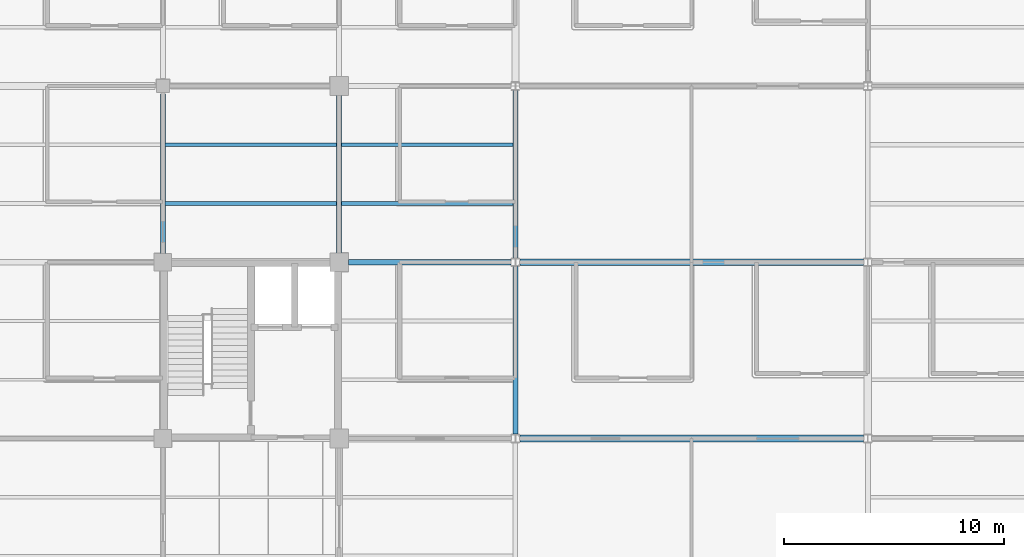
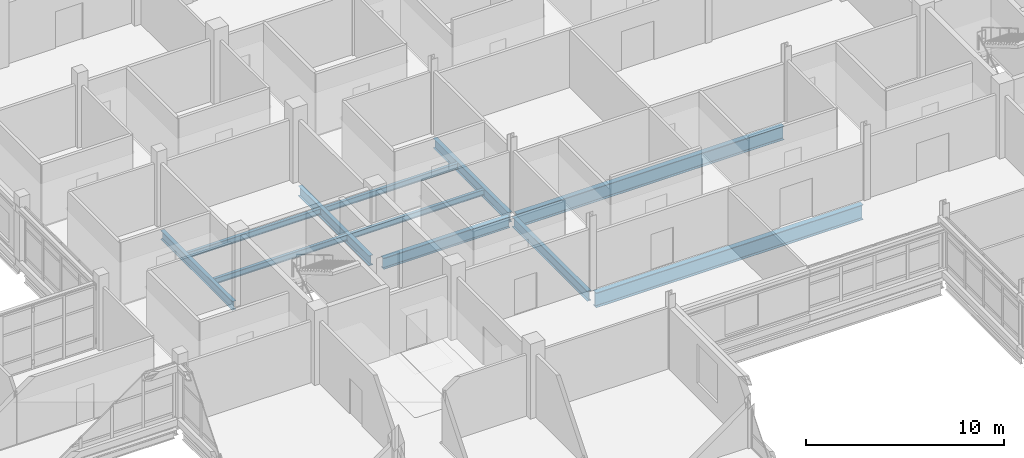
# One storey, part 27 of 121: 11 beams.
"""IFC4 building model written with IfcOpenShell, lengths in metres."""

from ifc_helpers import new_model, si_unit, derived_unit, direction, frame, origin, origin_2d, place, context, subcontext, project, spatial, i_section, extrude, material, material_profile, profile_set, type_object, element, save


model = new_model("IFC4")

# Units and contexts
model_context = context("Model", 3, precision=1e-05, world=origin(), true_north=direction((0.0, 1.0)))
body_context = subcontext(model_context, "Body", "Model", "MODEL_VIEW")
ifc_project = project(units=[si_unit("LENGTHUNIT", "METRE"), si_unit("AREAUNIT", "SQUARE_METRE"), si_unit("VOLUMEUNIT", "CUBIC_METRE"), si_unit("PLANEANGLEUNIT", "RADIAN"), si_unit("MASSUNIT", "GRAM", prefix="KILO"), derived_unit("THERMALTRANSMITTANCEUNIT", [(si_unit("MASSUNIT", "GRAM", prefix="KILO"), 1), (si_unit("TIMEUNIT", "SECOND"), -3), (si_unit("THERMODYNAMICTEMPERATUREUNIT", "KELVIN"), -1)])], contexts=[model_context])

# Site, building, storey
site_placement = place(None, origin())
site = spatial("IfcSite", under=ifc_project, at=site_placement, CompositionType="ELEMENT")
building_placement = place(site_placement, origin())
building = spatial("IfcBuilding", under=site, at=building_placement, Name="Veyamyaing Civic Hall", CompositionType="ELEMENT")
storey_placement = place(building_placement, frame((0.0, 0.0, 5.280029296875)))
storey = spatial("IfcBuildingStorey", under=building, at=storey_placement, Name="L01", CompositionType="ELEMENT", Elevation=5.280029296875)

# Beams
ifc_material = material(Name="Steel ASTM A992", Category="steel")
ifc_material_profile_1 = material_profile(ifc_material, i_section(OverallWidth=0.303955078125, OverallDepth=0.923095703125, WebThickness=0.018310546875, FlangeThickness=0.030029296875, FilletRadius=0.01806640625, at=origin_2d()), Name="W920X271")
ifc_profile_set_1 = profile_set([ifc_material_profile_1], Name="Steel ASTM A992")
beam_type_1 = type_object("IfcBeamType", Name="B-01", PredefinedType="BEAM", material=ifc_profile_set_1)
beam_1_placement = place(storey_placement, frame((80.198974609375, 48.0, -0.70654296875), z_axis=(1.0, 0.0, 0.0), x_axis=(0.0, 1.0, 0.0)))
element("IfcBeam", 1, at=beam_1_placement, inside=storey, type_object=beam_type_1, Name="Girder B-01 L01 Grid G 11-13", PredefinedType="BEAM", context=body_context, shape_type="SweptSolid", body=[
    extrude(i_section(OverallWidth=0.303955078125, OverallDepth=0.923095703125, WebThickness=0.018310546875, FlangeThickness=0.030029296875, FilletRadius=0.01806640625, at=origin_2d()), origin(), (0.0, 0.0, 1.0), 15.60205078125),
])
ifc_material_profile_2 = material_profile(ifc_material, i_section(OverallWidth=0.2939453125, OverallDepth=0.85107421875, WebThickness=0.01611328125, FlangeThickness=0.02685546875, FilletRadius=0.01611328125, at=origin_2d()), Name="W840X226")
ifc_profile_set_2 = profile_set([ifc_material_profile_2], Name="Steel ASTM A992")
beam_type_2 = type_object("IfcBeamType", Name="B-02", PredefinedType="BEAM", material=ifc_profile_set_2)
beam_2_placement = place(storey_placement, frame((80.198974609375, 56.0, -0.67041015625), z_axis=(1.0, 0.0, 0.0), x_axis=(0.0, 1.0, 0.0)))
element("IfcBeam", 2, at=beam_2_placement, inside=storey, type_object=beam_type_2, Name="Girder B-02 L01 Grid H 11-13", PredefinedType="BEAM", context=body_context, shape_type="SweptSolid", body=[
    extrude(i_section(OverallWidth=0.2939453125, OverallDepth=0.85107421875, WebThickness=0.01611328125, FlangeThickness=0.02685546875, FilletRadius=0.01611328125, at=origin_2d()), origin(), (0.0, 0.0, 1.0), 15.60205078125),
])
ifc_material_profile_3 = material_profile(ifc_material, i_section(OverallWidth=0.256103515625, OverallDepth=0.693115234375, WebThickness=0.014404296875, FlangeThickness=0.023681640625, FilletRadius=0.013916015625, at=origin_2d()), Name="W690X170")
ifc_profile_set_3 = profile_set([ifc_material_profile_3], Name="Steel ASTM A992")
beam_type_3 = type_object("IfcBeamType", Name="B-04", PredefinedType="BEAM", material=ifc_profile_set_3)
beam_3_placement = place(storey_placement, frame((72.425048828125, 56.0, -0.591552734375), z_axis=(1.0, 0.0, 0.0), x_axis=(0.0, 1.0, 0.0)))
element("IfcBeam", 3, at=beam_3_placement, inside=storey, type_object=beam_type_3, Name="Girder B-04 L01 Grid H 10-11", PredefinedType="BEAM", context=body_context, shape_type="SweptSolid", body=[
    extrude(i_section(OverallWidth=0.256103515625, OverallDepth=0.693115234375, WebThickness=0.014404296875, FlangeThickness=0.023681640625, FilletRadius=0.013916015625, at=origin_2d()), origin(), (0.0, 0.0, 1.0), 7.3759765625),
])
ifc_material_profile_4 = material_profile(ifc_material, i_section(OverallWidth=0.22998046875, OverallDepth=0.616943359375, WebThickness=0.01318359375, FlangeThickness=0.022216796875, FilletRadius=0.012939453125, at=origin_2d()), Name="W610X140")
ifc_profile_set_4 = profile_set([ifc_material_profile_4], Name="Steel ASTM A992")
beam_type_4 = type_object("IfcBeamType", Name="B-05", PredefinedType="BEAM", material=ifc_profile_set_4)
beam_4_placement = place(storey_placement, frame((72.0, 56.425048828125, -0.553466796875), z_axis=(0.0, 1.0, 0.0), x_axis=(-1.0, 0.0, 0.0)))
element("IfcBeam", 4, at=beam_4_placement, inside=storey, type_object=beam_type_4, Name="Girder B-05 L01 Grid 10 H-J", PredefinedType="BEAM", context=body_context, shape_type="SweptSolid", body=[
    extrude(i_section(OverallWidth=0.22998046875, OverallDepth=0.616943359375, WebThickness=0.01318359375, FlangeThickness=0.022216796875, FilletRadius=0.012939453125, at=origin_2d()), origin(), (0.0, 0.0, 1.0), 7.14990234375),
])
beam_5_placement = place(storey_placement, frame((80.0, 48.193603515625, -0.553466796875), z_axis=(0.0, 1.0, 0.0), x_axis=(-1.0, 0.0, 0.0)))
element("IfcBeam", 5, at=beam_5_placement, inside=storey, type_object=beam_type_4, Name="Girder B-05 L01 Grid 11 G-H", PredefinedType="BEAM", context=body_context, shape_type="SweptSolid", body=[
    extrude(i_section(OverallWidth=0.22998046875, OverallDepth=0.616943359375, WebThickness=0.01318359375, FlangeThickness=0.022216796875, FilletRadius=0.012939453125, at=origin_2d()), origin(), (0.0, 0.0, 1.0), 7.61279296875),
])
ifc_material_profile_5 = material_profile(ifc_material, i_section(OverallWidth=0.22802734375, OverallDepth=0.60791015625, WebThickness=0.01123046875, FlangeThickness=0.017333984375, FilletRadius=0.012939453125, at=origin_2d()), Name="W610X113")
ifc_profile_set_5 = profile_set([ifc_material_profile_5], Name="Steel ASTM A992")
beam_type_5 = type_object("IfcBeamType", Name="B-06", PredefinedType="BEAM", material=ifc_profile_set_5)
beam_6_placement = place(storey_placement, frame((80.0, 56.193603515625, -0.549072265625), z_axis=(0.0, 1.0, 0.0), x_axis=(-1.0, 0.0, 0.0)))
element("IfcBeam", 6, at=beam_6_placement, inside=storey, type_object=beam_type_5, Name="Girder B-06 L01 Grid 11 H-J", PredefinedType="BEAM", context=body_context, shape_type="SweptSolid", body=[
    extrude(i_section(OverallWidth=0.22802734375, OverallDepth=0.60791015625, WebThickness=0.01123046875, FlangeThickness=0.017333984375, FilletRadius=0.012939453125, at=origin_2d()), origin(), (0.0, 0.0, 1.0), 7.61279296875),
])
ifc_material_profile_6 = material_profile(ifc_material, i_section(OverallWidth=0.214111328125, OverallDepth=0.549072265625, WebThickness=0.0146484375, FlangeThickness=0.023681640625, FilletRadius=0.011962890625, at=origin_2d()), Name="W530X138")
ifc_profile_set_6 = profile_set([ifc_material_profile_6], Name="Steel ASTM A992")
beam_type_6 = type_object("IfcBeamType", Name="B-16", PredefinedType="BEAM", material=ifc_profile_set_6)
beam_7_placement = place(storey_placement, frame((64.0, 56.39990234375, -0.51953125), z_axis=(0.0, 1.0, 0.0), x_axis=(-1.0, 0.0, 0.0)))
element("IfcBeam", 7, at=beam_7_placement, inside=storey, type_object=beam_type_6, Name="Girder B-16 L01 Grid 9 H-J", PredefinedType="BEAM", context=body_context, shape_type="SweptSolid", body=[
    extrude(i_section(OverallWidth=0.214111328125, OverallDepth=0.549072265625, WebThickness=0.0146484375, FlangeThickness=0.023681640625, FilletRadius=0.011962890625, at=origin_2d()), origin(), (0.0, 0.0, 1.0), 7.25),
])
ifc_material_profile_7 = material_profile(ifc_material, i_section(OverallWidth=0.172119140625, OverallDepth=0.35791015625, WebThickness=0.0078125, FlangeThickness=0.01318359375, FilletRadius=0.010009765625, at=origin_2d()), Name="W360X57")
ifc_profile_set_7 = profile_set([ifc_material_profile_7], Name="Steel ASTM A992")
beam_type_7 = type_object("IfcBeamType", Name="J-02", PredefinedType="JOIST", material=ifc_profile_set_7)
for number, where, z_axis, x_axis, name in (
    (8, (64.10498046875, 58.666748046875, -0.424072265625), (1.0, 0.0, 0.0), (0.0, 1.0, 0.0), "Composite floor joist J-02 L01 9.8.1"),
    (9, (64.10498046875, 61.333251953125, -0.424072265625), (1.0, 0.0, 0.0), (0.0, 1.0, 0.0), "Composite floor joist J-02 L01 9.8.2"),
):
    element("IfcBeam", number, at=place(storey_placement, frame(where, z_axis=z_axis, x_axis=x_axis)), inside=storey, type_object=beam_type_7, Name=name, PredefinedType="JOIST", context=body_context, shape_type="SweptSolid", body=[
        extrude(i_section(OverallWidth=0.172119140625, OverallDepth=0.35791015625, WebThickness=0.0078125, FlangeThickness=0.01318359375, FilletRadius=0.010009765625, at=origin_2d()), origin(), (0.0, 0.0, 1.0), 7.781982421875),
    ])
ifc_material_profile_8 = material_profile(ifc_material, i_section(OverallWidth=0.1708984375, OverallDepth=0.35205078125, WebThickness=0.0068359375, FlangeThickness=0.009765625, FilletRadius=0.010009765625, at=origin_2d()), Name="W360X44")
ifc_profile_set_8 = profile_set([ifc_material_profile_8], Name="Steel ASTM A992")
beam_type_8 = type_object("IfcBeamType", Name="J-03", PredefinedType="JOIST", material=ifc_profile_set_8)
for number, where, z_axis, x_axis, name in (
    (10, (72.113037109375, 58.666748046875, -0.421142578125), (1.0, 0.0, 0.0), (0.0, 1.0, 0.0), "Composite floor joist J-03 L01 10.8.1"),
    (11, (72.113037109375, 61.333251953125, -0.421142578125), (1.0, 0.0, 0.0), (0.0, 1.0, 0.0), "Composite floor joist J-03 L01 10.8.2"),
):
    element("IfcBeam", number, at=place(storey_placement, frame(where, z_axis=z_axis, x_axis=x_axis)), inside=storey, type_object=beam_type_8, Name=name, PredefinedType="JOIST", context=body_context, shape_type="SweptSolid", body=[
        extrude(i_section(OverallWidth=0.1708984375, OverallDepth=0.35205078125, WebThickness=0.0068359375, FlangeThickness=0.009765625, FilletRadius=0.010009765625, at=origin_2d()), origin(), (0.0, 0.0, 1.0), 7.77490234375),
    ])

save(model, "model.ifc")
